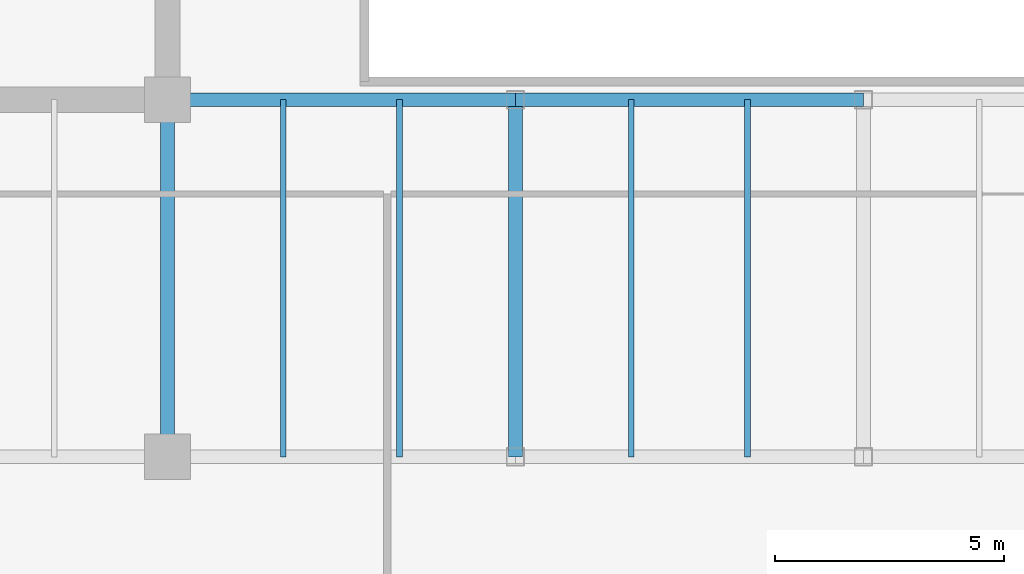
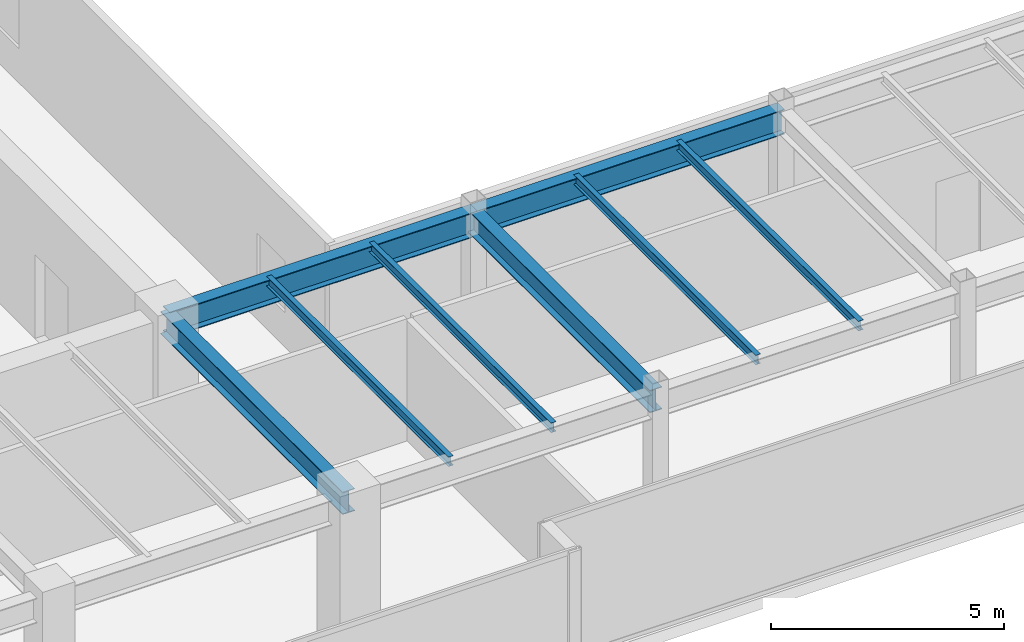
# One storey, part 8 of 33: 8 beams.
"""IFC4 building model written with IfcOpenShell, lengths in metres."""

from ifc_helpers import new_model, si_unit, direction, frame, origin, origin_2d, place, context, subcontext, project, spatial, i_section, extrude, source, transform, mapped, material, material_profile, profile_set, type_object, type_shapes, element, save


model = new_model("IFC4")

# Units and contexts
model_context = context("Model", 3, precision=1e-05, world=origin(), true_north=direction((0.0, 1.0)))
body_context = subcontext(model_context, "Body", "Model", "MODEL_VIEW")
ifc_project = project(units=[si_unit("LENGTHUNIT", "METRE"), si_unit("AREAUNIT", "SQUARE_METRE"), si_unit("VOLUMEUNIT", "CUBIC_METRE"), si_unit("PLANEANGLEUNIT", "RADIAN"), si_unit("MASSUNIT", "GRAM", prefix="KILO")], contexts=[model_context])

# Site, building, storey
site_placement = place(None, origin())
site = spatial("IfcSite", under=ifc_project, at=site_placement, CompositionType="ELEMENT")
building_placement = place(site_placement, origin())
building = spatial("IfcBuilding", under=site, at=building_placement, Name="Haelvirn Gate Laboratories", CompositionType="ELEMENT")
storey_placement = place(building_placement, frame((0.0, 0.0, 271.10009765625)))
storey = spatial("IfcBuildingStorey", under=building, at=storey_placement, Name="L65", CompositionType="ELEMENT", Elevation=271.10009765625)

# Beams
ifc_material = material(Name="Steel SM355", Category="steel")
ifc_material_profile_1 = material_profile(ifc_material, i_section(OverallWidth=0.300048828125, OverallDepth=0.587890625, WebThickness=0.011962890625, FlangeThickness=0.02001953125, at=origin_2d()), Name="H-588x300x12x20")
ifc_profile_set_1 = profile_set([ifc_material_profile_1], Name="Steel SM355")
beam_type_1 = type_object("IfcBeamType", Name="BM-G-588", PredefinedType="BEAM", material=ifc_profile_set_1)
shared_shape_1 = source(origin(), body_context, "Body", "SweptSolid", [
    extrude(i_section(OverallWidth=0.300048828125, OverallDepth=0.587890625, WebThickness=0.011962890625, FlangeThickness=0.02001953125, at=origin_2d()), origin(), (0.0, 0.0, 1.0), 7.800048828125),
])
type_shapes(beam_type_1, [shared_shape_1])
for number, where, z_axis, x_axis, name in (
    (1, (22.199951171875, 7.0, 3.505859375), (0.0, 1.0, 0.0), (-1.0, 0.0, 0.0), "L65 Frame Girder X22.2 (7.0-14.8)"),
    (2, (29.800048828125, 7.0, 3.505859375), (0.0, 1.0, 0.0), (-1.0, 0.0, 0.0), "L65 Frame Girder X29.8 (7.0-14.8)"),
):
    element("IfcBeam", number, at=place(storey_placement, frame(where, z_axis=z_axis, x_axis=x_axis)), inside=storey, type_object=beam_type_1, Name=name, PredefinedType="BEAM", context=body_context, shape_type="MappedRepresentation", body=[
        mapped(shared_shape_1, transform((0.0, 0.0, 0.0), scale=1.0)),
    ])
ifc_material_profile_2 = material_profile(ifc_material, i_section(OverallWidth=0.300048828125, OverallDepth=0.64990234375, WebThickness=0.012939453125, FlangeThickness=0.02197265625, at=origin_2d()), Name="H-650x300x13x22")
ifc_profile_set_2 = profile_set([ifc_material_profile_2], Name="Steel SM355")
beam_type_2 = type_object("IfcBeamType", Name="BM-G-650", PredefinedType="BEAM", material=ifc_profile_set_2)
shared_shape_2 = source(origin(), body_context, "Body", "SweptSolid", [
    extrude(i_section(OverallWidth=0.300048828125, OverallDepth=0.64990234375, WebThickness=0.012939453125, FlangeThickness=0.02197265625, at=origin_2d()), origin(), (0.0, 0.0, 1.0), 7.60009765625),
])
beam_1_placement = place(storey_placement, frame((22.199951171875, 14.800048828125, 3.474853515625), z_axis=(1.0, 0.0, 0.0), x_axis=(0.0, 1.0, 0.0)))
element("IfcBeam", 3, at=beam_1_placement, inside=storey, type_object=beam_type_2, Name="L65 Primary Girder Y14.8 (22.2-29.8)", PredefinedType="BEAM", context=body_context, shape_type="MappedRepresentation", body=[
    mapped(shared_shape_2, transform((0.0, 0.0, 0.0), scale=1.0)),
])
shared_shape_3 = source(origin(), body_context, "Body", "SweptSolid", [
    extrude(i_section(OverallWidth=0.300048828125, OverallDepth=0.64990234375, WebThickness=0.012939453125, FlangeThickness=0.02197265625, at=origin_2d()), origin(), (0.0, 0.0, 1.0), 7.599853515625),
])
type_shapes(beam_type_2, [shared_shape_2, shared_shape_3])
beam_2_placement = place(storey_placement, frame((29.800048828125, 14.800048828125, 3.474853515625), z_axis=(1.0, 0.0, 0.0), x_axis=(0.0, 1.0, 0.0)))
element("IfcBeam", 4, at=beam_2_placement, inside=storey, type_object=beam_type_2, Name="L65 Primary Girder Y14.8 (29.8-37.4)", PredefinedType="BEAM", context=body_context, shape_type="MappedRepresentation", body=[
    mapped(shared_shape_3, transform((0.0, 0.0, 0.0), scale=1.0)),
])
ifc_material_profile_3 = material_profile(ifc_material, i_section(OverallWidth=0.125, OverallDepth=0.25, WebThickness=0.006103515625, FlangeThickness=0.009033203125, at=origin_2d()), Name="H-250x125x6x9")
ifc_profile_set_3 = profile_set([ifc_material_profile_3], Name="Steel SM355")
beam_type_3 = type_object("IfcBeamType", Name="BM-J-250", PredefinedType="JOIST", material=ifc_profile_set_3)
shared_shape_4 = source(origin(), body_context, "Body", "SweptSolid", [
    extrude(i_section(OverallWidth=0.125, OverallDepth=0.25, WebThickness=0.006103515625, FlangeThickness=0.009033203125, at=origin_2d()), origin(), (0.0, 0.0, 1.0), 7.800048828125),
])
type_shapes(beam_type_3, [shared_shape_4])
for number, where, z_axis, x_axis, name in (
    (5, (24.72998046875, 7.0, 3.6748046875), (0.0, 1.0, 0.0), (-1.0, 0.0, 0.0), "L65 Composite Lab Joist South X24.73"),
    (6, (27.27001953125, 7.0, 3.6748046875), (0.0, 1.0, 0.0), (-1.0, 0.0, 0.0), "L65 Composite Lab Joist South X27.27"),
    (7, (32.330078125, 7.0, 3.6748046875), (0.0, 1.0, 0.0), (-1.0, 0.0, 0.0), "L65 Composite Lab Joist South X32.33"),
    (8, (34.8701171875, 7.0, 3.6748046875), (0.0, 1.0, 0.0), (-1.0, 0.0, 0.0), "L65 Composite Lab Joist South X34.87"),
):
    element("IfcBeam", number, at=place(storey_placement, frame(where, z_axis=z_axis, x_axis=x_axis)), inside=storey, type_object=beam_type_3, Name=name, PredefinedType="JOIST", context=body_context, shape_type="MappedRepresentation", body=[
        mapped(shared_shape_4, transform((0.0, 0.0, 0.0), scale=1.0)),
    ])

save(model, "model.ifc")
